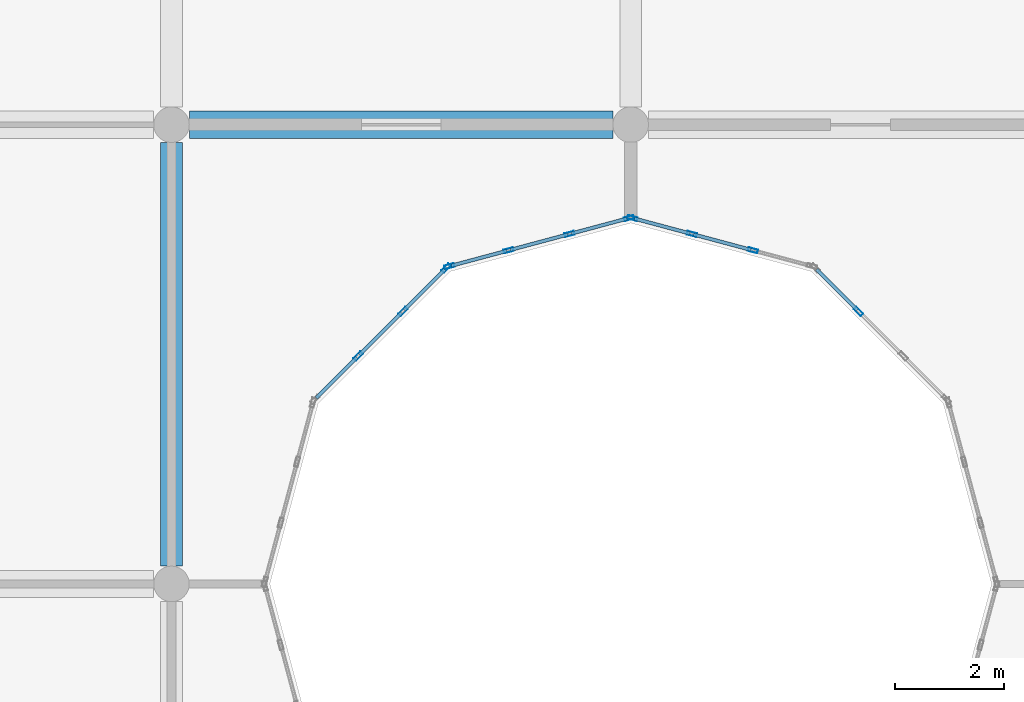
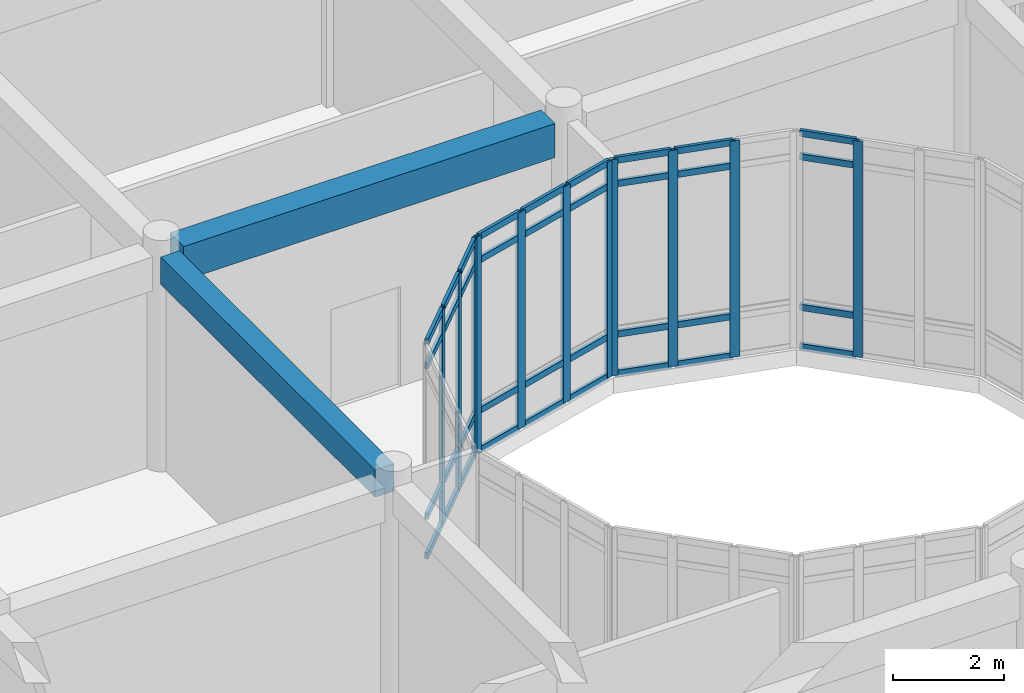
# One storey, part 34 of 134: 47 members, 2 beams, 4 elements without a shape of their own.
"""IFC4 building model written with IfcOpenShell, lengths in metres."""

from ifc_helpers import new_model, si_unit, direction, frame, origin, origin_2d, place, context, subcontext, project, spatial, rectangle, hollow_rectangle, extrude, material, layer, layer_set, material_profile, profile_set, type_object, element, aggregate, save


model = new_model("IFC4")

# Units and contexts
model_context = context("Model", 3, precision=1e-05, world=origin(), true_north=direction((0.0, 1.0)))
body_context = subcontext(model_context, "Body", "Model", "MODEL_VIEW")
ifc_project = project(units=[si_unit("LENGTHUNIT", "METRE"), si_unit("AREAUNIT", "SQUARE_METRE"), si_unit("VOLUMEUNIT", "CUBIC_METRE"), si_unit("PLANEANGLEUNIT", "RADIAN"), si_unit("MASSUNIT", "GRAM", prefix="KILO")], contexts=[model_context])

# Site, building, storey
site_placement = place(None, origin())
site = spatial("IfcSite", under=ifc_project, at=site_placement, CompositionType="ELEMENT")
building_placement = place(site_placement, origin())
building = spatial("IfcBuilding", under=site, at=building_placement, Name="Bramfleet General Hospital", CompositionType="ELEMENT")
storey_placement = place(building_placement, frame((0.0, 0.0, 9.300048828125)))
storey = spatial("IfcBuildingStorey", under=building, at=storey_placement, Name="L02", CompositionType="ELEMENT", Elevation=9.300048828125)

# Beams
ifc_material_1 = material(Name="Concrete C35/45", Category="concrete")
ifc_material_profile_1 = material_profile(ifc_material_1, rectangle(XDim=0.39990234375, YDim=0.60009765625, at=origin_2d()), Name="RC BM 600x400")
ifc_profile_set_1 = profile_set([ifc_material_profile_1], Name="Concrete C35/45")
beam_type_1 = type_object("IfcBeamType", Name="BM-RC600", PredefinedType="BEAM", material=ifc_profile_set_1)
beam_1_placement = place(storey_placement, frame((16.800048828125, 84.324951171875, 4.47998046875), z_axis=(0.0, 1.0, 0.0), x_axis=(-1.0, 0.0, 0.0)))
element("IfcBeam", 1, at=beam_1_placement, inside=storey, type_object=beam_type_1, Name="L02 Grid Beam Y 02-10", PredefinedType="BEAM", context=body_context, shape_type="SweptSolid", body=[
    extrude(rectangle(XDim=0.39990234375, YDim=0.60009765625, at=origin_2d()), origin(), (0.0, 0.0, 1.0), 7.75),
])
ifc_material_profile_2 = material_profile(ifc_material_1, rectangle(XDim=0.5, YDim=0.75, at=origin_2d()), Name="RC BM 750x500")
ifc_profile_set_2 = profile_set([ifc_material_profile_2], Name="Concrete C35/45")
beam_type_2 = type_object("IfcBeamType", Name="BM-RC750", PredefinedType="BEAM", material=ifc_profile_set_2)
beam_2_placement = place(storey_placement, frame((17.125, 92.39990234375, 4.405029296875), z_axis=(1.0, 0.0, 0.0), x_axis=(0.0, 1.0, 0.0)))
element("IfcBeam", 2, at=beam_2_placement, inside=storey, type_object=beam_type_2, Name="L02 Grid Beam X 02-11", PredefinedType="BEAM", context=body_context, shape_type="SweptSolid", body=[
    extrude(rectangle(XDim=0.5, YDim=0.75, at=origin_2d()), origin(), (0.0, 0.0, 1.0), 7.75),
])

# Curtain wall, member
ifc_material_2 = material(Name="Anodised aluminium and low-E triple glazing", Category="aluminium")
ifc_layer_1 = layer(ifc_material_2, 0.179931640625, Name="CWT-CW-12")
ifc_layer_set_1 = layer_set([ifc_layer_1], Name="Anodised aluminium and low-E triple glazing")
curtain_wall_type_1 = type_object("IfcCurtainWallType", Name="CWT-CW-12", PredefinedType="USERDEFINED", material=ifc_layer_set_1)
curtain_wall_1_placement = place(storey_placement, origin())
curtain_wall_1 = element("IfcCurtainWall", 3, at=curtain_wall_1_placement, inside=storey, type_object=curtain_wall_type_1, Name="L02 West Clinical Light Court Curtain Wall 8.1", ObjectType="Stick curtain wall", PredefinedType="USERDEFINED")
ifc_material_3 = material(Name="Anodised aluminium EN AW-6060", Category="aluminium")
ifc_material_profile_3 = material_profile(ifc_material_3, hollow_rectangle(XDim=0.070068359375, YDim=0.179931640625, WallThickness=0.00390625, at=origin_2d()), Name="ALU 180x70x4.0")
ifc_profile_set_3 = profile_set([ifc_material_profile_3], Name="Anodised aluminium EN AW-6060")
member_type_1 = type_object("IfcMemberType", Name="CWM-ALU180", PredefinedType="MULLION", material=ifc_profile_set_3)
member_1_placement = place(storey_placement, frame((29.367431640625, 88.984619140625, 0.0), z_axis=(0.0, 0.0, 1.0), x_axis=(-0.707106781187, -0.707106781187, 0.0)))
member_1 = element("IfcMember", 4, at=member_1_placement, type_object=member_type_1, Name="CW-12 mullion 3", PredefinedType="MULLION", context=body_context, shape_type="SweptSolid", body=[
    extrude(hollow_rectangle(XDim=0.070068359375, YDim=0.179931640625, WallThickness=0.00390625, at=origin_2d()), origin(), (0.0, 0.0, 1.0), 4.77001953125),
])

# Curtain wall, members
ifc_layer_2 = layer(ifc_material_2, 0.179931640625, Name="CWT-CW-13")
ifc_layer_set_2 = layer_set([ifc_layer_2], Name="Anodised aluminium and low-E triple glazing")
curtain_wall_type_2 = type_object("IfcCurtainWallType", Name="CWT-CW-13", PredefinedType="USERDEFINED", material=ifc_layer_set_2)
curtain_wall_2_placement = place(storey_placement, origin())
curtain_wall_2 = element("IfcCurtainWall", 5, at=curtain_wall_2_placement, inside=storey, type_object=curtain_wall_type_2, Name="L02 West Clinical Light Court Curtain Wall 9.1", ObjectType="Stick curtain wall", PredefinedType="USERDEFINED")
member_2_placement = place(storey_placement, frame((27.433349609375, 90.101318359375, 0.0), z_axis=(0.0, 0.0, 1.0), x_axis=(-0.25891863407, -0.965899136003, 0.0)))
member_2 = element("IfcMember", 6, at=member_2_placement, type_object=member_type_1, Name="CW-13 mullion 2", PredefinedType="MULLION", context=body_context, shape_type="SweptSolid", body=[
    extrude(hollow_rectangle(XDim=0.070068359375, YDim=0.179931640625, WallThickness=0.00390625, at=origin_2d()), origin(), (0.0, 0.0, 1.0), 4.77001953125),
])
member_3_placement = place(storey_placement, frame((26.316650390625, 90.400634765625, 0.0), z_axis=(0.0, 0.0, 1.0), x_axis=(-0.25891863407, -0.965899136003, 0.0)))
member_3 = element("IfcMember", 7, at=member_3_placement, type_object=member_type_1, Name="CW-13 mullion 3", PredefinedType="MULLION", context=body_context, shape_type="SweptSolid", body=[
    extrude(hollow_rectangle(XDim=0.070068359375, YDim=0.179931640625, WallThickness=0.00390625, at=origin_2d()), origin(), (0.0, 0.0, 1.0), 4.77001953125),
])
member_4_placement = place(storey_placement, frame((25.23388671875, 90.69091796875, 0.0), z_axis=(0.0, 0.0, 1.0), x_axis=(-0.25891863407, -0.965899136003, 0.0)))
member_4 = element("IfcMember", 8, at=member_4_placement, type_object=member_type_1, Name="CW-13 mullion 4", PredefinedType="MULLION", context=body_context, shape_type="SweptSolid", body=[
    extrude(hollow_rectangle(XDim=0.070068359375, YDim=0.179931640625, WallThickness=0.00390625, at=origin_2d()), origin(), (0.0, 0.0, 1.0), 4.77001953125),
])

ifc_layer_3 = layer(ifc_material_2, 0.179931640625, Name="CWT-CW-14")
ifc_layer_set_3 = layer_set([ifc_layer_3], Name="Anodised aluminium and low-E triple glazing")
curtain_wall_type_3 = type_object("IfcCurtainWallType", Name="CWT-CW-14", PredefinedType="USERDEFINED", material=ifc_layer_set_3)
curtain_wall_3_placement = place(storey_placement, origin())
curtain_wall_3 = element("IfcCurtainWall", 9, at=curtain_wall_3_placement, inside=storey, type_object=curtain_wall_type_3, Name="L02 West Clinical Light Court Curtain Wall 10.1", ObjectType="Stick curtain wall", PredefinedType="USERDEFINED")
member_5_placement = place(storey_placement, frame((25.166259765625, 90.69091796875, 0.0), z_axis=(0.0, 0.0, 1.0), x_axis=(0.25891863407, -0.965899136003, 0.0)))
member_5 = element("IfcMember", 10, at=member_5_placement, type_object=member_type_1, Name="CW-14 mullion 1", PredefinedType="MULLION", context=body_context, shape_type="SweptSolid", body=[
    extrude(hollow_rectangle(XDim=0.070068359375, YDim=0.179931640625, WallThickness=0.00390625, at=origin_2d()), origin(), (0.0, 0.0, 1.0), 4.77001953125),
])
member_6_placement = place(storey_placement, frame((24.083251953125, 90.400634765625, 0.0), z_axis=(0.0, 0.0, 1.0), x_axis=(0.25891863407, -0.965899136003, 0.0)))
member_6 = element("IfcMember", 11, at=member_6_placement, type_object=member_type_1, Name="CW-14 mullion 2", PredefinedType="MULLION", context=body_context, shape_type="SweptSolid", body=[
    extrude(hollow_rectangle(XDim=0.070068359375, YDim=0.179931640625, WallThickness=0.00390625, at=origin_2d()), origin(), (0.0, 0.0, 1.0), 4.77001953125),
])
member_7_placement = place(storey_placement, frame((22.966552734375, 90.101318359375, 0.0), z_axis=(0.0, 0.0, 1.0), x_axis=(0.25891863407, -0.965899136003, 0.0)))
member_7 = element("IfcMember", 12, at=member_7_placement, type_object=member_type_1, Name="CW-14 mullion 3", PredefinedType="MULLION", context=body_context, shape_type="SweptSolid", body=[
    extrude(hollow_rectangle(XDim=0.070068359375, YDim=0.179931640625, WallThickness=0.00390625, at=origin_2d()), origin(), (0.0, 0.0, 1.0), 4.77001953125),
])
member_8_placement = place(storey_placement, frame((21.8837890625, 89.81103515625, 0.0), z_axis=(0.0, 0.0, 1.0), x_axis=(0.25891863407, -0.965899136003, 0.0)))
member_8 = element("IfcMember", 13, at=member_8_placement, type_object=member_type_1, Name="CW-14 mullion 4", PredefinedType="MULLION", context=body_context, shape_type="SweptSolid", body=[
    extrude(hollow_rectangle(XDim=0.070068359375, YDim=0.179931640625, WallThickness=0.00390625, at=origin_2d()), origin(), (0.0, 0.0, 1.0), 4.77001953125),
])

ifc_layer_4 = layer(ifc_material_2, 0.179931640625, Name="CWT-CW-15")
ifc_layer_set_4 = layer_set([ifc_layer_4], Name="Anodised aluminium and low-E triple glazing")
curtain_wall_type_4 = type_object("IfcCurtainWallType", Name="CWT-CW-15", PredefinedType="USERDEFINED", material=ifc_layer_set_4)
curtain_wall_4_placement = place(storey_placement, origin())
curtain_wall_4 = element("IfcCurtainWall", 14, at=curtain_wall_4_placement, inside=storey, type_object=curtain_wall_type_4, Name="L02 West Clinical Light Court Curtain Wall 11.1", ObjectType="Stick curtain wall", PredefinedType="USERDEFINED")
member_9_placement = place(storey_placement, frame((21.8251953125, 89.77734375, 0.0), z_axis=(0.0, 0.0, 1.0), x_axis=(0.707106781187, -0.707106781187, 0.0)))
member_9 = element("IfcMember", 15, at=member_9_placement, type_object=member_type_1, Name="CW-15 mullion 1", PredefinedType="MULLION", context=body_context, shape_type="SweptSolid", body=[
    extrude(hollow_rectangle(XDim=0.070068359375, YDim=0.179931640625, WallThickness=0.00390625, at=origin_2d()), origin(), (0.0, 0.0, 1.0), 4.77001953125),
])
member_10_placement = place(storey_placement, frame((21.03271484375, 88.984619140625, 0.0), z_axis=(0.0, 0.0, 1.0), x_axis=(0.707106781187, -0.707106781187, 0.0)))
member_10 = element("IfcMember", 16, at=member_10_placement, type_object=member_type_1, Name="CW-15 mullion 2", PredefinedType="MULLION", context=body_context, shape_type="SweptSolid", body=[
    extrude(hollow_rectangle(XDim=0.070068359375, YDim=0.179931640625, WallThickness=0.00390625, at=origin_2d()), origin(), (0.0, 0.0, 1.0), 4.77001953125),
])
member_11_placement = place(storey_placement, frame((20.21533203125, 88.167236328125, 0.0), z_axis=(0.0, 0.0, 1.0), x_axis=(0.707106781187, -0.707106781187, 0.0)))
member_11 = element("IfcMember", 17, at=member_11_placement, type_object=member_type_1, Name="CW-15 mullion 3", PredefinedType="MULLION", context=body_context, shape_type="SweptSolid", body=[
    extrude(hollow_rectangle(XDim=0.070068359375, YDim=0.179931640625, WallThickness=0.00390625, at=origin_2d()), origin(), (0.0, 0.0, 1.0), 4.77001953125),
])

# Member
ifc_material_profile_4 = material_profile(ifc_material_3, hollow_rectangle(XDim=0.06494140625, YDim=0.139892578125, WallThickness=0.00390625, at=origin_2d()), Name="ALU 140x65x4.0")
ifc_profile_set_4 = profile_set([ifc_material_profile_4], Name="Anodised aluminium EN AW-6060")
member_type_2 = type_object("IfcMemberType", Name="CWT-ALU140", PredefinedType="USERDEFINED", material=ifc_profile_set_4)
member_12_placement = place(storey_placement, frame((29.342529296875, 89.009521484375, 0.032470703125), z_axis=(-0.707106781187, 0.707106781187, 0.0), x_axis=(-0.707106781187, -0.707106781187, 0.0)))
member_12 = element("IfcMember", 18, at=member_12_placement, type_object=member_type_2, Name="CW-12 transom 3.1", ObjectType="TRANSOM", PredefinedType="USERDEFINED", context=body_context, shape_type="SweptSolid", body=[
    extrude(hollow_rectangle(XDim=0.06494140625, YDim=0.139892578125, WallThickness=0.00390625, at=origin_2d()), origin(), (0.0, 0.0, 1.0), 1.050537109375),
])

member_13_placement = place(storey_placement, frame((29.342529296875, 89.009521484375, 0.89990234375), z_axis=(-0.707106781187, 0.707106781187, 0.0), x_axis=(-0.707106781187, -0.707106781187, 0.0)))
member_13 = element("IfcMember", 19, at=member_13_placement, type_object=member_type_2, Name="CW-12 transom 3.2", ObjectType="TRANSOM", PredefinedType="USERDEFINED", context=body_context, shape_type="SweptSolid", body=[
    extrude(hollow_rectangle(XDim=0.06494140625, YDim=0.139892578125, WallThickness=0.00390625, at=origin_2d()), origin(), (0.0, 0.0, 1.0), 1.050537109375),
])

member_14_placement = place(storey_placement, frame((29.342529296875, 89.009521484375, 4.219970703125), z_axis=(-0.707106781187, 0.707106781187, 0.0), x_axis=(-0.707106781187, -0.707106781187, 0.0)))
member_14 = element("IfcMember", 20, at=member_14_placement, type_object=member_type_2, Name="CW-12 transom 3.3", ObjectType="TRANSOM", PredefinedType="USERDEFINED", context=body_context, shape_type="SweptSolid", body=[
    extrude(hollow_rectangle(XDim=0.06494140625, YDim=0.139892578125, WallThickness=0.00390625, at=origin_2d()), origin(), (0.0, 0.0, 1.0), 1.050537109375),
])

member_15_placement = place(storey_placement, frame((29.342529296875, 89.009521484375, 4.737548828125), z_axis=(-0.707106781187, 0.707106781187, 0.0), x_axis=(-0.707106781187, -0.707106781187, 0.0)))
member_15 = element("IfcMember", 21, at=member_15_placement, type_object=member_type_2, Name="CW-12 transom 3.4", ObjectType="TRANSOM", PredefinedType="USERDEFINED", context=body_context, shape_type="SweptSolid", body=[
    extrude(hollow_rectangle(XDim=0.06494140625, YDim=0.139892578125, WallThickness=0.00390625, at=origin_2d()), origin(), (0.0, 0.0, 1.0), 1.050537109375),
])

aggregate(curtain_wall_1, [member_1, member_12, member_13, member_14, member_15])

member_16_placement = place(storey_placement, frame((27.3994140625, 90.1103515625, 0.032470703125), z_axis=(-0.965875768108, 0.259005792565, 0.0), x_axis=(-0.259005792565, -0.965875768108, 0.0)))
member_16 = element("IfcMember", 22, at=member_16_placement, type_object=member_type_2, Name="CW-13 transom 2.1", ObjectType="TRANSOM", PredefinedType="USERDEFINED", context=body_context, shape_type="SweptSolid", body=[
    extrude(hollow_rectangle(XDim=0.06494140625, YDim=0.139892578125, WallThickness=0.00390625, at=origin_2d()), origin(), (0.0, 0.0, 1.0), 1.0859375),
])

member_17_placement = place(storey_placement, frame((27.3994140625, 90.1103515625, 0.89990234375), z_axis=(-0.965875768108, 0.259005792565, 0.0), x_axis=(-0.259005792565, -0.965875768108, 0.0)))
member_17 = element("IfcMember", 23, at=member_17_placement, type_object=member_type_2, Name="CW-13 transom 2.2", ObjectType="TRANSOM", PredefinedType="USERDEFINED", context=body_context, shape_type="SweptSolid", body=[
    extrude(hollow_rectangle(XDim=0.06494140625, YDim=0.139892578125, WallThickness=0.00390625, at=origin_2d()), origin(), (0.0, 0.0, 1.0), 1.0859375),
])

member_18_placement = place(storey_placement, frame((27.3994140625, 90.1103515625, 4.219970703125), z_axis=(-0.965875768108, 0.259005792565, 0.0), x_axis=(-0.259005792565, -0.965875768108, 0.0)))
member_18 = element("IfcMember", 24, at=member_18_placement, type_object=member_type_2, Name="CW-13 transom 2.3", ObjectType="TRANSOM", PredefinedType="USERDEFINED", context=body_context, shape_type="SweptSolid", body=[
    extrude(hollow_rectangle(XDim=0.06494140625, YDim=0.139892578125, WallThickness=0.00390625, at=origin_2d()), origin(), (0.0, 0.0, 1.0), 1.0859375),
])

member_19_placement = place(storey_placement, frame((27.3994140625, 90.1103515625, 4.737548828125), z_axis=(-0.965875768108, 0.259005792565, 0.0), x_axis=(-0.259005792565, -0.965875768108, 0.0)))
member_19 = element("IfcMember", 25, at=member_19_placement, type_object=member_type_2, Name="CW-13 transom 2.4", ObjectType="TRANSOM", PredefinedType="USERDEFINED", context=body_context, shape_type="SweptSolid", body=[
    extrude(hollow_rectangle(XDim=0.06494140625, YDim=0.139892578125, WallThickness=0.00390625, at=origin_2d()), origin(), (0.0, 0.0, 1.0), 1.0859375),
])

member_20_placement = place(storey_placement, frame((26.282958984375, 90.40966796875, 0.032470703125), z_axis=(-0.965891021523, 0.258948903342, 0.0), x_axis=(-0.258948903342, -0.965891021523, 0.0)))
member_20 = element("IfcMember", 26, at=member_20_placement, type_object=member_type_2, Name="CW-13 transom 3.1", ObjectType="TRANSOM", PredefinedType="USERDEFINED", context=body_context, shape_type="SweptSolid", body=[
    extrude(hollow_rectangle(XDim=0.06494140625, YDim=0.139892578125, WallThickness=0.00390625, at=origin_2d()), origin(), (0.0, 0.0, 1.0), 1.05126953125),
])

member_21_placement = place(storey_placement, frame((26.282958984375, 90.40966796875, 0.89990234375), z_axis=(-0.965891021523, 0.258948903342, 0.0), x_axis=(-0.258948903342, -0.965891021523, 0.0)))
member_21 = element("IfcMember", 27, at=member_21_placement, type_object=member_type_2, Name="CW-13 transom 3.2", ObjectType="TRANSOM", PredefinedType="USERDEFINED", context=body_context, shape_type="SweptSolid", body=[
    extrude(hollow_rectangle(XDim=0.06494140625, YDim=0.139892578125, WallThickness=0.00390625, at=origin_2d()), origin(), (0.0, 0.0, 1.0), 1.05126953125),
])

member_22_placement = place(storey_placement, frame((26.282958984375, 90.40966796875, 4.219970703125), z_axis=(-0.965891021523, 0.258948903342, 0.0), x_axis=(-0.258948903342, -0.965891021523, 0.0)))
member_22 = element("IfcMember", 28, at=member_22_placement, type_object=member_type_2, Name="CW-13 transom 3.3", ObjectType="TRANSOM", PredefinedType="USERDEFINED", context=body_context, shape_type="SweptSolid", body=[
    extrude(hollow_rectangle(XDim=0.06494140625, YDim=0.139892578125, WallThickness=0.00390625, at=origin_2d()), origin(), (0.0, 0.0, 1.0), 1.05126953125),
])

member_23_placement = place(storey_placement, frame((26.282958984375, 90.40966796875, 4.737548828125), z_axis=(-0.965891021523, 0.258948903342, 0.0), x_axis=(-0.258948903342, -0.965891021523, 0.0)))
member_23 = element("IfcMember", 29, at=member_23_placement, type_object=member_type_2, Name="CW-13 transom 3.4", ObjectType="TRANSOM", PredefinedType="USERDEFINED", context=body_context, shape_type="SweptSolid", body=[
    extrude(hollow_rectangle(XDim=0.06494140625, YDim=0.139892578125, WallThickness=0.00390625, at=origin_2d()), origin(), (0.0, 0.0, 1.0), 1.05126953125),
])

aggregate(curtain_wall_2, [member_2, member_3, member_4, member_16, member_17, member_18, member_19, member_20, member_21, member_22, member_23])

member_24_placement = place(storey_placement, frame((25.13232421875, 90.681884765625, 0.032470703125), z_axis=(-0.965875443458, -0.259007003236, 0.0), x_axis=(0.259007003236, -0.965875443458, 0.0)))
member_24 = element("IfcMember", 30, at=member_24_placement, type_object=member_type_2, Name="CW-14 transom 1.1", ObjectType="TRANSOM", PredefinedType="USERDEFINED", context=body_context, shape_type="SweptSolid", body=[
    extrude(hollow_rectangle(XDim=0.06494140625, YDim=0.139892578125, WallThickness=0.00390625, at=origin_2d()), origin(), (0.0, 0.0, 1.0), 1.051025390625),
])

member_25_placement = place(storey_placement, frame((25.13232421875, 90.681884765625, 0.89990234375), z_axis=(-0.965875443458, -0.259007003236, 0.0), x_axis=(0.259007003236, -0.965875443458, 0.0)))
member_25 = element("IfcMember", 31, at=member_25_placement, type_object=member_type_2, Name="CW-14 transom 1.2", ObjectType="TRANSOM", PredefinedType="USERDEFINED", context=body_context, shape_type="SweptSolid", body=[
    extrude(hollow_rectangle(XDim=0.06494140625, YDim=0.139892578125, WallThickness=0.00390625, at=origin_2d()), origin(), (0.0, 0.0, 1.0), 1.051025390625),
])

member_26_placement = place(storey_placement, frame((25.13232421875, 90.681884765625, 4.219970703125), z_axis=(-0.965875443458, -0.259007003236, 0.0), x_axis=(0.259007003236, -0.965875443458, 0.0)))
member_26 = element("IfcMember", 32, at=member_26_placement, type_object=member_type_2, Name="CW-14 transom 1.3", ObjectType="TRANSOM", PredefinedType="USERDEFINED", context=body_context, shape_type="SweptSolid", body=[
    extrude(hollow_rectangle(XDim=0.06494140625, YDim=0.139892578125, WallThickness=0.00390625, at=origin_2d()), origin(), (0.0, 0.0, 1.0), 1.051025390625),
])

member_27_placement = place(storey_placement, frame((25.13232421875, 90.681884765625, 4.737548828125), z_axis=(-0.965875443458, -0.259007003236, 0.0), x_axis=(0.259007003236, -0.965875443458, 0.0)))
member_27 = element("IfcMember", 33, at=member_27_placement, type_object=member_type_2, Name="CW-14 transom 1.4", ObjectType="TRANSOM", PredefinedType="USERDEFINED", context=body_context, shape_type="SweptSolid", body=[
    extrude(hollow_rectangle(XDim=0.06494140625, YDim=0.139892578125, WallThickness=0.00390625, at=origin_2d()), origin(), (0.0, 0.0, 1.0), 1.051025390625),
])

member_28_placement = place(storey_placement, frame((24.049560546875, 90.3916015625, 0.032470703125), z_axis=(-0.965890845787, -0.258949558843, 0.0), x_axis=(0.258949558843, -0.965890845787, 0.0)))
member_28 = element("IfcMember", 34, at=member_28_placement, type_object=member_type_2, Name="CW-14 transom 2.1", ObjectType="TRANSOM", PredefinedType="USERDEFINED", context=body_context, shape_type="SweptSolid", body=[
    extrude(hollow_rectangle(XDim=0.06494140625, YDim=0.139892578125, WallThickness=0.00390625, at=origin_2d()), origin(), (0.0, 0.0, 1.0), 1.086181640625),
])

member_29_placement = place(storey_placement, frame((24.049560546875, 90.3916015625, 0.89990234375), z_axis=(-0.965890845787, -0.258949558843, 0.0), x_axis=(0.258949558843, -0.965890845787, 0.0)))
member_29 = element("IfcMember", 35, at=member_29_placement, type_object=member_type_2, Name="CW-14 transom 2.2", ObjectType="TRANSOM", PredefinedType="USERDEFINED", context=body_context, shape_type="SweptSolid", body=[
    extrude(hollow_rectangle(XDim=0.06494140625, YDim=0.139892578125, WallThickness=0.00390625, at=origin_2d()), origin(), (0.0, 0.0, 1.0), 1.086181640625),
])

member_30_placement = place(storey_placement, frame((24.049560546875, 90.3916015625, 4.219970703125), z_axis=(-0.965890845787, -0.258949558843, 0.0), x_axis=(0.258949558843, -0.965890845787, 0.0)))
member_30 = element("IfcMember", 36, at=member_30_placement, type_object=member_type_2, Name="CW-14 transom 2.3", ObjectType="TRANSOM", PredefinedType="USERDEFINED", context=body_context, shape_type="SweptSolid", body=[
    extrude(hollow_rectangle(XDim=0.06494140625, YDim=0.139892578125, WallThickness=0.00390625, at=origin_2d()), origin(), (0.0, 0.0, 1.0), 1.086181640625),
])

member_31_placement = place(storey_placement, frame((24.049560546875, 90.3916015625, 4.737548828125), z_axis=(-0.965890845787, -0.258949558843, 0.0), x_axis=(0.258949558843, -0.965890845787, 0.0)))
member_31 = element("IfcMember", 37, at=member_31_placement, type_object=member_type_2, Name="CW-14 transom 2.4", ObjectType="TRANSOM", PredefinedType="USERDEFINED", context=body_context, shape_type="SweptSolid", body=[
    extrude(hollow_rectangle(XDim=0.06494140625, YDim=0.139892578125, WallThickness=0.00390625, at=origin_2d()), origin(), (0.0, 0.0, 1.0), 1.086181640625),
])

member_32_placement = place(storey_placement, frame((22.932861328125, 90.09228515625, 0.032470703125), z_axis=(-0.965875443458, -0.259007003236, 0.0), x_axis=(0.259007003236, -0.965875443458, 0.0)))
member_32 = element("IfcMember", 38, at=member_32_placement, type_object=member_type_2, Name="CW-14 transom 3.1", ObjectType="TRANSOM", PredefinedType="USERDEFINED", context=body_context, shape_type="SweptSolid", body=[
    extrude(hollow_rectangle(XDim=0.06494140625, YDim=0.139892578125, WallThickness=0.00390625, at=origin_2d()), origin(), (0.0, 0.0, 1.0), 1.051025390625),
])

member_33_placement = place(storey_placement, frame((22.932861328125, 90.09228515625, 0.89990234375), z_axis=(-0.965875443458, -0.259007003236, 0.0), x_axis=(0.259007003236, -0.965875443458, 0.0)))
member_33 = element("IfcMember", 39, at=member_33_placement, type_object=member_type_2, Name="CW-14 transom 3.2", ObjectType="TRANSOM", PredefinedType="USERDEFINED", context=body_context, shape_type="SweptSolid", body=[
    extrude(hollow_rectangle(XDim=0.06494140625, YDim=0.139892578125, WallThickness=0.00390625, at=origin_2d()), origin(), (0.0, 0.0, 1.0), 1.051025390625),
])

member_34_placement = place(storey_placement, frame((22.932861328125, 90.09228515625, 4.219970703125), z_axis=(-0.965875443458, -0.259007003236, 0.0), x_axis=(0.259007003236, -0.965875443458, 0.0)))
member_34 = element("IfcMember", 40, at=member_34_placement, type_object=member_type_2, Name="CW-14 transom 3.3", ObjectType="TRANSOM", PredefinedType="USERDEFINED", context=body_context, shape_type="SweptSolid", body=[
    extrude(hollow_rectangle(XDim=0.06494140625, YDim=0.139892578125, WallThickness=0.00390625, at=origin_2d()), origin(), (0.0, 0.0, 1.0), 1.051025390625),
])

member_35_placement = place(storey_placement, frame((22.932861328125, 90.09228515625, 4.737548828125), z_axis=(-0.965875443458, -0.259007003236, 0.0), x_axis=(0.259007003236, -0.965875443458, 0.0)))
member_35 = element("IfcMember", 41, at=member_35_placement, type_object=member_type_2, Name="CW-14 transom 3.4", ObjectType="TRANSOM", PredefinedType="USERDEFINED", context=body_context, shape_type="SweptSolid", body=[
    extrude(hollow_rectangle(XDim=0.06494140625, YDim=0.139892578125, WallThickness=0.00390625, at=origin_2d()), origin(), (0.0, 0.0, 1.0), 1.051025390625),
])

aggregate(curtain_wall_3, [member_5, member_6, member_7, member_8, member_24, member_25, member_26, member_27, member_28, member_29, member_30, member_31, member_32, member_33, member_34, member_35])

member_36_placement = place(storey_placement, frame((21.800537109375, 89.75244140625, 0.032470703125), z_axis=(-0.707222938356, -0.706990604933, 0.0), x_axis=(0.706990604933, -0.707222938356, 0.0)))
member_36 = element("IfcMember", 42, at=member_36_placement, type_object=member_type_2, Name="CW-15 transom 1.1", ObjectType="TRANSOM", PredefinedType="USERDEFINED", context=body_context, shape_type="SweptSolid", body=[
    extrude(hollow_rectangle(XDim=0.06494140625, YDim=0.139892578125, WallThickness=0.00390625, at=origin_2d()), origin(), (0.0, 0.0, 1.0), 1.05078125),
])

member_37_placement = place(storey_placement, frame((21.800537109375, 89.75244140625, 0.89990234375), z_axis=(-0.707222938356, -0.706990604933, 0.0), x_axis=(0.706990604933, -0.707222938356, 0.0)))
member_37 = element("IfcMember", 43, at=member_37_placement, type_object=member_type_2, Name="CW-15 transom 1.2", ObjectType="TRANSOM", PredefinedType="USERDEFINED", context=body_context, shape_type="SweptSolid", body=[
    extrude(hollow_rectangle(XDim=0.06494140625, YDim=0.139892578125, WallThickness=0.00390625, at=origin_2d()), origin(), (0.0, 0.0, 1.0), 1.05078125),
])

member_38_placement = place(storey_placement, frame((21.800537109375, 89.75244140625, 4.219970703125), z_axis=(-0.707222938356, -0.706990604933, 0.0), x_axis=(0.706990604933, -0.707222938356, 0.0)))
member_38 = element("IfcMember", 44, at=member_38_placement, type_object=member_type_2, Name="CW-15 transom 1.3", ObjectType="TRANSOM", PredefinedType="USERDEFINED", context=body_context, shape_type="SweptSolid", body=[
    extrude(hollow_rectangle(XDim=0.06494140625, YDim=0.139892578125, WallThickness=0.00390625, at=origin_2d()), origin(), (0.0, 0.0, 1.0), 1.05078125),
])

member_39_placement = place(storey_placement, frame((21.800537109375, 89.75244140625, 4.737548828125), z_axis=(-0.707222938356, -0.706990604933, 0.0), x_axis=(0.706990604933, -0.707222938356, 0.0)))
member_39 = element("IfcMember", 45, at=member_39_placement, type_object=member_type_2, Name="CW-15 transom 1.4", ObjectType="TRANSOM", PredefinedType="USERDEFINED", context=body_context, shape_type="SweptSolid", body=[
    extrude(hollow_rectangle(XDim=0.06494140625, YDim=0.139892578125, WallThickness=0.00390625, at=origin_2d()), origin(), (0.0, 0.0, 1.0), 1.05078125),
])

member_40_placement = place(storey_placement, frame((21.0078125, 88.9599609375, 0.032470703125), z_axis=(-0.707106781187, -0.707106781187, 0.0), x_axis=(0.707106781187, -0.707106781187, 0.0)))
member_40 = element("IfcMember", 46, at=member_40_placement, type_object=member_type_2, Name="CW-15 transom 2.1", ObjectType="TRANSOM", PredefinedType="USERDEFINED", context=body_context, shape_type="SweptSolid", body=[
    extrude(hollow_rectangle(XDim=0.06494140625, YDim=0.139892578125, WallThickness=0.00390625, at=origin_2d()), origin(), (0.0, 0.0, 1.0), 1.0859375),
])

member_41_placement = place(storey_placement, frame((21.0078125, 88.9599609375, 0.89990234375), z_axis=(-0.707106781187, -0.707106781187, 0.0), x_axis=(0.707106781187, -0.707106781187, 0.0)))
member_41 = element("IfcMember", 47, at=member_41_placement, type_object=member_type_2, Name="CW-15 transom 2.2", ObjectType="TRANSOM", PredefinedType="USERDEFINED", context=body_context, shape_type="SweptSolid", body=[
    extrude(hollow_rectangle(XDim=0.06494140625, YDim=0.139892578125, WallThickness=0.00390625, at=origin_2d()), origin(), (0.0, 0.0, 1.0), 1.0859375),
])

member_42_placement = place(storey_placement, frame((21.0078125, 88.9599609375, 4.219970703125), z_axis=(-0.707106781187, -0.707106781187, 0.0), x_axis=(0.707106781187, -0.707106781187, 0.0)))
member_42 = element("IfcMember", 48, at=member_42_placement, type_object=member_type_2, Name="CW-15 transom 2.3", ObjectType="TRANSOM", PredefinedType="USERDEFINED", context=body_context, shape_type="SweptSolid", body=[
    extrude(hollow_rectangle(XDim=0.06494140625, YDim=0.139892578125, WallThickness=0.00390625, at=origin_2d()), origin(), (0.0, 0.0, 1.0), 1.0859375),
])

member_43_placement = place(storey_placement, frame((21.0078125, 88.9599609375, 4.737548828125), z_axis=(-0.707106781187, -0.707106781187, 0.0), x_axis=(0.707106781187, -0.707106781187, 0.0)))
member_43 = element("IfcMember", 49, at=member_43_placement, type_object=member_type_2, Name="CW-15 transom 2.4", ObjectType="TRANSOM", PredefinedType="USERDEFINED", context=body_context, shape_type="SweptSolid", body=[
    extrude(hollow_rectangle(XDim=0.06494140625, YDim=0.139892578125, WallThickness=0.00390625, at=origin_2d()), origin(), (0.0, 0.0, 1.0), 1.0859375),
])

member_44_placement = place(storey_placement, frame((20.190673828125, 88.142578125, 0.032470703125), z_axis=(-0.707106781187, -0.707106781187, 0.0), x_axis=(0.707106781187, -0.707106781187, 0.0)))
member_44 = element("IfcMember", 50, at=member_44_placement, type_object=member_type_2, Name="CW-15 transom 3.1", ObjectType="TRANSOM", PredefinedType="USERDEFINED", context=body_context, shape_type="SweptSolid", body=[
    extrude(hollow_rectangle(XDim=0.06494140625, YDim=0.139892578125, WallThickness=0.00390625, at=origin_2d()), origin(), (0.0, 0.0, 1.0), 1.051025390625),
])

member_45_placement = place(storey_placement, frame((20.190673828125, 88.142578125, 0.89990234375), z_axis=(-0.707106781187, -0.707106781187, 0.0), x_axis=(0.707106781187, -0.707106781187, 0.0)))
member_45 = element("IfcMember", 51, at=member_45_placement, type_object=member_type_2, Name="CW-15 transom 3.2", ObjectType="TRANSOM", PredefinedType="USERDEFINED", context=body_context, shape_type="SweptSolid", body=[
    extrude(hollow_rectangle(XDim=0.06494140625, YDim=0.139892578125, WallThickness=0.00390625, at=origin_2d()), origin(), (0.0, 0.0, 1.0), 1.051025390625),
])

member_46_placement = place(storey_placement, frame((20.190673828125, 88.142578125, 4.219970703125), z_axis=(-0.707106781187, -0.707106781187, 0.0), x_axis=(0.707106781187, -0.707106781187, 0.0)))
member_46 = element("IfcMember", 52, at=member_46_placement, type_object=member_type_2, Name="CW-15 transom 3.3", ObjectType="TRANSOM", PredefinedType="USERDEFINED", context=body_context, shape_type="SweptSolid", body=[
    extrude(hollow_rectangle(XDim=0.06494140625, YDim=0.139892578125, WallThickness=0.00390625, at=origin_2d()), origin(), (0.0, 0.0, 1.0), 1.051025390625),
])

member_47_placement = place(storey_placement, frame((20.190673828125, 88.142578125, 4.737548828125), z_axis=(-0.707106781187, -0.707106781187, 0.0), x_axis=(0.707106781187, -0.707106781187, 0.0)))
member_47 = element("IfcMember", 53, at=member_47_placement, type_object=member_type_2, Name="CW-15 transom 3.4", ObjectType="TRANSOM", PredefinedType="USERDEFINED", context=body_context, shape_type="SweptSolid", body=[
    extrude(hollow_rectangle(XDim=0.06494140625, YDim=0.139892578125, WallThickness=0.00390625, at=origin_2d()), origin(), (0.0, 0.0, 1.0), 1.051025390625),
])

aggregate(curtain_wall_4, [member_9, member_10, member_11, member_36, member_37, member_38, member_39, member_40, member_41, member_42, member_43, member_44, member_45, member_46, member_47])

save(model, "model.ifc")
